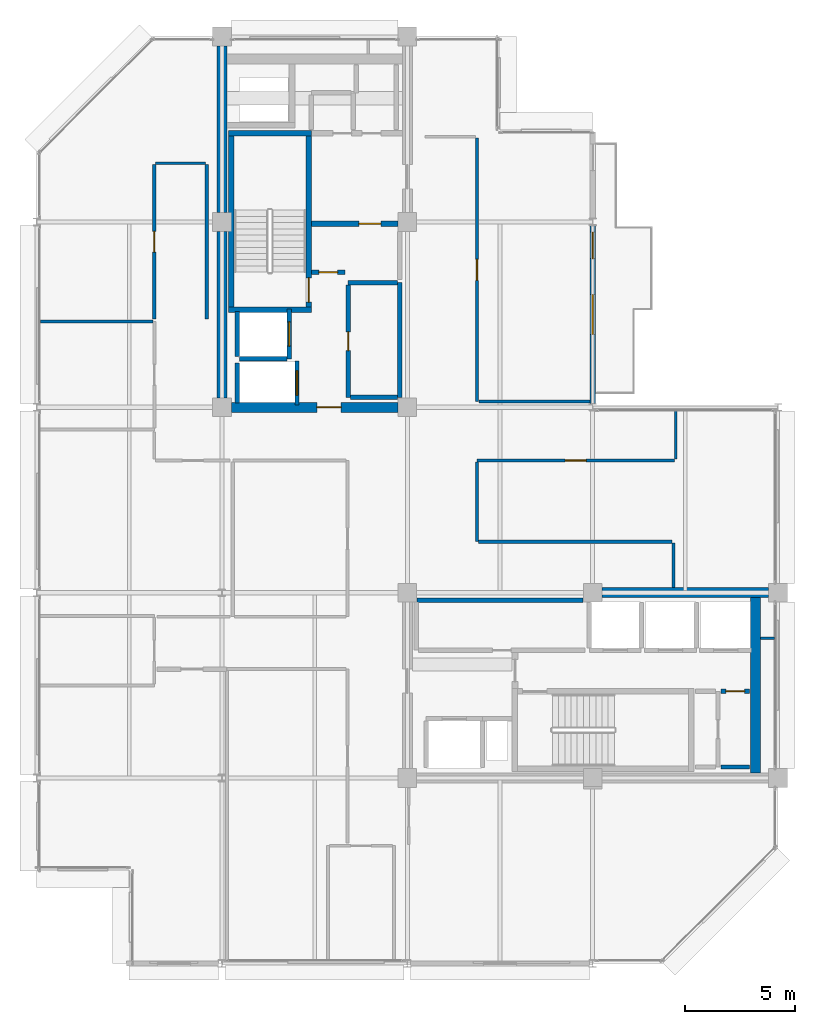
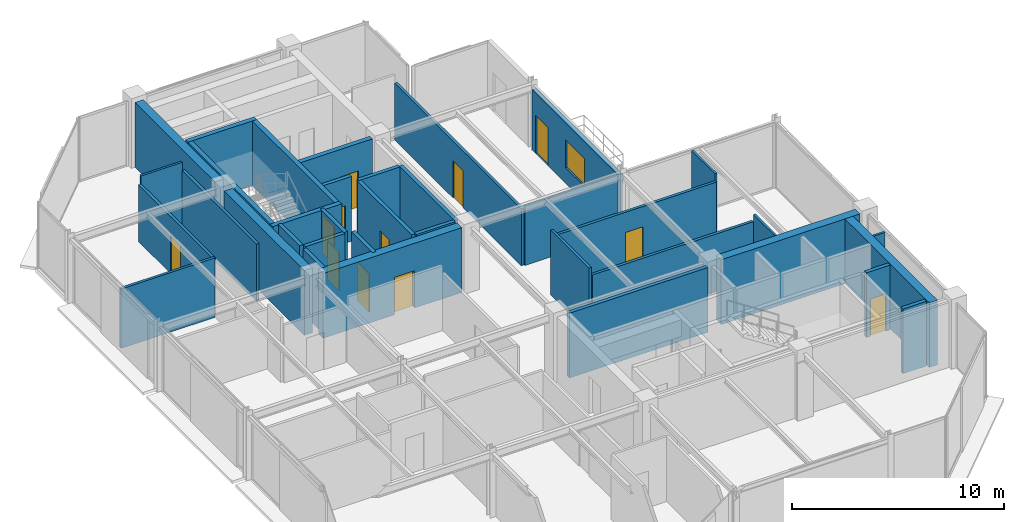
# One storey, part 21 of 25: 36 walls, 12 doors, 1 window, 13 openings.
"""IFC4 building model written with IfcOpenShell, lengths in metres."""

from ifc_helpers import new_model, si_unit, direction, frame, frame_2d, origin, place, context, subcontext, project, spatial, rectangle, extrude, material, layer, layer_set, type_object, element, fill, save


model = new_model("IFC4")

# Units and contexts
model_context = context("Model", 3, precision=1e-05, world=origin(), true_north=direction((0.0, 1.0)))
body_context = subcontext(model_context, "Body", "Model", "MODEL_VIEW")
ifc_project = project(units=[si_unit("LENGTHUNIT", "METRE"), si_unit("AREAUNIT", "SQUARE_METRE"), si_unit("VOLUMEUNIT", "CUBIC_METRE"), si_unit("PLANEANGLEUNIT", "RADIAN"), si_unit("MASSUNIT", "GRAM", prefix="KILO")], contexts=[model_context])

# Site, building, storey
site_placement = place(None, origin())
site = spatial("IfcSite", under=ifc_project, at=site_placement, CompositionType="ELEMENT")
building_placement = place(site_placement, origin())
building = spatial("IfcBuilding", under=site, at=building_placement, Name="Nerrivon Quay Data Exchange", CompositionType="ELEMENT")
storey_placement = place(building_placement, frame((0.0, 0.0, 302.199951171875)))
storey = spatial("IfcBuildingStorey", under=building, at=storey_placement, Name="L72", CompositionType="ELEMENT", Elevation=302.199951171875)

# Wall, openings, door, window
ifc_material_1 = material(Name="Architectural terracotta precast concrete N50 (50 MPa)", Category="masonry")
ifc_layer_1 = layer(ifc_material_1, 0.239990234375)
ifc_layer_set_1 = layer_set([ifc_layer_1], Name="Architectural terracotta precast concrete N50 (50 MPa)")
wall_type_1 = type_object("IfcWallType", Name="EW-PREC-240", PredefinedType="STANDARD", material=ifc_layer_set_1)
wall_1_placement = place(storey_placement, frame((25.199951171875, 33.4365234375, 0.0), z_axis=(0.0, 0.0, 1.0), x_axis=(0.0, -1.0, 0.0)))
wall_1 = element("IfcWall", 1, at=wall_1_placement, inside=storey, type_object=wall_type_1, Name="L72 Terrace Host Wall 20", PredefinedType="STANDARD", context=body_context, shape_type="SweptSolid", body=[
    extrude(rectangle(XDim=8.072998046875, YDim=0.239990234375, at=frame_2d((4.03662109375, 0.0))), origin(), (0.0, 0.0, 1.0), 3.47509765625),
])
opening_1_placement = place(wall_1_placement, frame((0.300048828125, 0.0, 0.0)))
opening_1 = element("IfcOpeningElement", 2, at=opening_1_placement, cuts=wall_1, Name="Opening TD1", PredefinedType="OPENING", context=body_context, shape_type="SweptSolid", body=[
    extrude(rectangle(XDim=1.199951171875, YDim=2.199951171875, at=frame_2d((0.60009765625, 1.10009765625))), frame((0.0, 0.1298828125, 0.0), z_axis=(0.0, -1.0, 0.0), x_axis=(1.0, 0.0, 0.0)), (0.0, 0.0, 1.0), 0.260009765625),
])
opening_2_placement = place(wall_1_placement, frame((3.131591796875, 0.0, 0.89990234375)))
opening_2 = element("IfcOpeningElement", 3, at=opening_2_placement, cuts=wall_1, Name="Opening WN2", PredefinedType="OPENING", context=body_context, shape_type="SweptSolid", body=[
    extrude(rectangle(XDim=1.800048828125, YDim=1.60009765625, at=frame_2d((0.89990234375, 0.800048828125))), frame((0.0, 0.1298828125, 0.0), z_axis=(0.0, -1.0, 0.0), x_axis=(1.0, 0.0, 0.0)), (0.0, 0.0, 1.0), 0.260009765625),
])
ifc_material_2 = material(Name="Double-glazed low-E solar control glass", Category="glass")
door_type_1 = type_object("IfcDoorType", Name="DR-TERR-1200x2200", OperationType="NOTDEFINED", PredefinedType="DOOR", material=ifc_material_2)
door_1_placement = place(opening_1_placement, origin())
door_1 = element("IfcDoor", 4, at=door_1_placement, inside=storey, type_object=door_type_1, Name="L72 Outdoor Terrace Access Door 20", OperationType="SINGLE_SWING_LEFT", OverallHeight=2.199951171875, OverallWidth=1.199951171875, PredefinedType="DOOR", context=body_context, shape_type="SweptSolid", body=[
    extrude(rectangle(XDim=1.199951171875, YDim=2.199951171875, at=frame_2d((0.60009765625, 1.10009765625))), frame((0.0, 0.02490234375, 0.0), z_axis=(0.0, -1.0, 0.0), x_axis=(1.0, 0.0, 0.0)), (0.0, 0.0, 1.0), 0.050048828125),
])
fill(opening_1, door_1)
window_type = type_object("IfcWindowType", Name="WIN-W2-1800x1600", PartitioningType="SINGLE_PANEL", PredefinedType="WINDOW", material=ifc_material_2)
window_placement = place(opening_2_placement, origin())
window = element("IfcWindow", 5, at=window_placement, inside=storey, type_object=window_type, Name="L72 Terrace Side Window 20", OverallHeight=1.60009765625, OverallWidth=1.800048828125, PartitioningType="SINGLE_PANEL", PredefinedType="WINDOW", context=body_context, shape_type="SweptSolid", body=[
    extrude(rectangle(XDim=1.800048828125, YDim=1.60009765625, at=frame_2d((0.89990234375, 0.800048828125))), frame((0.0, 0.030029296875, 0.0), z_axis=(0.0, -1.0, 0.0), x_axis=(1.0, 0.0, 0.0)), (0.0, 0.0, 1.0), 0.06005859375),
])
fill(opening_2, window)

# Walls
ifc_material_3 = material(Name="Concrete N50 (50 MPa)", Category="concrete")
ifc_layer_2 = layer(ifc_material_3, 0.449951171875)
ifc_layer_set_2 = layer_set([ifc_layer_2], Name="Concrete N50 (50 MPa)")
wall_type_2 = type_object("IfcWallType", Name="WALL-CW-550", PredefinedType="SHEAR", material=ifc_layer_set_2)
for number, where, z_axis, x_axis, name in (
    (6, (8.39990234375, 25.625, 0.0), (0.0, 0.0, 1.0), (0.0, 1.0, 0.0), "L72 West Split-Core Shear Wall WCW-W1"),
    (7, (8.39990234375, 34.02490234375, 0.0), (0.0, 0.0, 1.0), (0.0, 1.0, 0.0), "L72 West Split-Core Shear Wall WCW-W2"),
):
    element("IfcWall", number, at=place(storey_placement, frame(where, z_axis=z_axis, x_axis=x_axis)), inside=storey, type_object=wall_type_2, Name=name, PredefinedType="SHEAR", context=body_context, shape_type="SweptSolid", body=[
        extrude(rectangle(XDim=7.550048828125, YDim=0.449951171875, at=frame_2d((3.77490234375, 0.0))), origin(), (0.0, 0.0, 1.0), 3.72509765625),
    ])

# Wall, opening, door
wall_2_placement = place(storey_placement, frame((8.824951171875, 25.199951171875, 0.0), z_axis=(0.0, 0.0, 1.0), x_axis=(1.0, 0.0, 0.0)))
wall_2 = element("IfcWall", 8, at=wall_2_placement, inside=storey, type_object=wall_type_2, Name="L72 West Split-Core Shear Wall WCW-S1", PredefinedType="SHEAR", context=body_context, shape_type="SweptSolid", body=[
    extrude(rectangle(XDim=7.550048828125, YDim=0.449951171875, at=frame_2d((3.77490234375, 0.0))), origin(), (0.0, 0.0, 1.0), 3.72509765625),
])
opening_3_placement = place(wall_2_placement, frame((3.875, 0.0, 0.0)))
opening_3 = element("IfcOpeningElement", 9, at=opening_3_placement, cuts=wall_2, Name="Opening FD-120", PredefinedType="OPENING", context=body_context, shape_type="SweptSolid", body=[
    extrude(rectangle(XDim=1.10009765625, YDim=2.14990234375, at=frame_2d((0.550048828125, 1.074951171875))), frame((0.0, 0.23486328125, 0.0), z_axis=(0.0, -1.0, 0.0), x_axis=(1.0, 0.0, 0.0)), (0.0, 0.0, 1.0), 0.469970703125),
])
ifc_material_4 = material(Name="Powder-coated galvanized steel sheet", Category="steel")
door_type_2 = type_object("IfcDoorType", Name="DR-FD120-1100", OperationType="NOTDEFINED", PredefinedType="DOOR", material=ifc_material_4)
door_2_placement = place(opening_3_placement, origin())
door_2 = element("IfcDoor", 10, at=door_2_placement, inside=storey, type_object=door_type_2, Name="L72 West Core Lobby Fire Door", OperationType="SINGLE_SWING_LEFT", OverallHeight=2.14990234375, OverallWidth=1.10009765625, PredefinedType="DOOR", context=body_context, shape_type="SweptSolid", body=[
    extrude(rectangle(XDim=1.10009765625, YDim=2.14990234375, at=frame_2d((0.550048828125, 1.074951171875))), frame((0.0, 0.02490234375, 0.0), z_axis=(0.0, -1.0, 0.0), x_axis=(1.0, 0.0, 0.0)), (0.0, 0.0, 1.0), 0.050048828125),
])
fill(opening_3, door_2)

# Walls
wall_3_placement = place(storey_placement, frame((32.574951171875, 8.625, 0.0), z_axis=(0.0, 0.0, 1.0), x_axis=(0.0, 1.0, 0.0)))
element("IfcWall", 11, at=wall_3_placement, inside=storey, type_object=wall_type_2, Name="L72 East Split-Core Shear Wall ECW-E1", PredefinedType="SHEAR", context=body_context, shape_type="SweptSolid", body=[
    extrude(rectangle(XDim=7.949951171875, YDim=0.449951171875, at=frame_2d((3.97509765625, 0.0))), origin(), (0.0, 0.0, 1.0), 3.72509765625),
])
wall_4_placement = place(storey_placement, frame((25.625, 16.800048828125, 0.0), z_axis=(0.0, 0.0, 1.0), x_axis=(1.0, 0.0, 0.0)))
element("IfcWall", 12, at=wall_4_placement, inside=storey, type_object=wall_type_2, Name="L72 East Split-Core Shear Wall ECW-N1", PredefinedType="SHEAR", context=body_context, shape_type="SweptSolid", body=[
    extrude(rectangle(XDim=7.550048828125, YDim=0.449951171875, at=frame_2d((3.77490234375, 0.0))), origin(), (0.0, 0.0, 1.0), 3.72509765625),
])

# Wall, opening, door
ifc_material_5 = material(Name="Gypsum plasterboard on cold-formed framing", Category="gypsum")
ifc_layer_3 = layer(ifc_material_5, 0.199951171875)
ifc_layer_set_3 = layer_set([ifc_layer_3], Name="Gypsum plasterboard on cold-formed framing")
wall_type_3 = type_object("IfcWallType", Name="WALL-FW-200", PredefinedType="PARTITIONING", material=ifc_layer_set_3)
wall_5_placement = place(storey_placement, frame((11.449951171875, 27.39990234375, 0.0), z_axis=(0.0, 0.0, 1.0), x_axis=(0.0, 1.0, 0.0)))
wall_5 = element("IfcWall", 13, at=wall_5_placement, inside=storey, type_object=wall_type_3, Name="L72 Lift Front Wall FFL-1", PredefinedType="PARTITIONING", context=body_context, shape_type="SweptSolid", body=[
    extrude(rectangle(XDim=2.25, YDim=0.199951171875, at=frame_2d((1.125, 0.0))), origin(), (0.0, 0.0, 1.0), 3.72509765625),
])
opening_4_placement = place(wall_5_placement, frame((0.574951171875, 0.0, 0.0)))
opening_4 = element("IfcOpeningElement", 14, at=opening_4_placement, cuts=wall_5, Name="Opening LD-120", PredefinedType="OPENING", context=body_context, shape_type="SweptSolid", body=[
    extrude(rectangle(XDim=1.10009765625, YDim=2.199951171875, at=frame_2d((0.550048828125, 1.10009765625))), frame((0.0, 0.10986328125, 0.0), z_axis=(0.0, -1.0, 0.0), x_axis=(1.0, 0.0, 0.0)), (0.0, 0.0, 1.0), 0.219970703125),
])
door_type_3 = type_object("IfcDoorType", Name="DR-LIFT-LD120", OperationType="DOUBLE_DOOR_SLIDING", PredefinedType="DOOR", material=ifc_material_4)
door_3_placement = place(opening_4_placement, origin())
door_3 = element("IfcDoor", 15, at=door_3_placement, inside=storey, type_object=door_type_3, Name="L72 Lift Landing Sliding Door FFL-1", OperationType="DOUBLE_DOOR_SLIDING", OverallHeight=2.199951171875, OverallWidth=1.10009765625, PredefinedType="DOOR", context=body_context, shape_type="SweptSolid", body=[
    extrude(rectangle(XDim=1.10009765625, YDim=2.199951171875, at=frame_2d((0.550048828125, 1.10009765625))), frame((0.0, 0.02490234375, 0.0), z_axis=(0.0, -1.0, 0.0), x_axis=(1.0, 0.0, 0.0)), (0.0, 0.0, 1.0), 0.050048828125),
])
fill(opening_4, door_3)

# Walls
wall_6_placement = place(storey_placement, frame((9.10009765625, 27.5, 0.0), z_axis=(0.0, 0.0, 1.0), x_axis=(0.0, 1.0, 0.0)))
element("IfcWall", 16, at=wall_6_placement, inside=storey, type_object=wall_type_3, Name="L72 Lift Shaft Wall FFL-1 WEST", PredefinedType="PARTITIONING", context=body_context, shape_type="SweptSolid", body=[
    extrude(rectangle(XDim=2.050048828125, YDim=0.199951171875, at=frame_2d((1.02490234375, 0.0))), origin(), (0.0, 0.0, 1.0), 3.72509765625),
])
wall_7_placement = place(storey_placement, frame((9.199951171875, 27.39990234375, 0.0), z_axis=(0.0, 0.0, 1.0), x_axis=(1.0, 0.0, 0.0)))
element("IfcWall", 17, at=wall_7_placement, inside=storey, type_object=wall_type_3, Name="L72 Lift Shaft Wall FFL-1 SOUTH", PredefinedType="PARTITIONING", context=body_context, shape_type="SweptSolid", body=[
    extrude(rectangle(XDim=2.150146484375, YDim=0.199951171875, at=frame_2d((1.0751953125, 0.0))), origin(), (0.0, 0.0, 1.0), 3.72509765625),
])

# Wall, opening, door
wall_8_placement = place(storey_placement, frame((11.800048828125, 25.300048828125, 0.0), z_axis=(0.0, 0.0, 1.0), x_axis=(0.0, 1.0, 0.0)))
wall_8 = element("IfcWall", 18, at=wall_8_placement, inside=storey, type_object=wall_type_3, Name="L72 Lift Front Wall SVL-1", PredefinedType="PARTITIONING", context=body_context, shape_type="SweptSolid", body=[
    extrude(rectangle(XDim=2.0, YDim=0.199951171875, at=frame_2d((1.0, 0.0))), origin(), (0.0, 0.0, 1.0), 3.72509765625),
])
opening_5_placement = place(wall_8_placement, frame((0.449951171875, 0.0, 0.0)))
opening_5 = element("IfcOpeningElement", 19, at=opening_5_placement, cuts=wall_8, Name="Opening LD-120", PredefinedType="OPENING", context=body_context, shape_type="SweptSolid", body=[
    extrude(rectangle(XDim=1.10009765625, YDim=2.199951171875, at=frame_2d((0.550048828125, 1.10009765625))), frame((0.0, 0.10986328125, 0.0), z_axis=(0.0, -1.0, 0.0), x_axis=(1.0, 0.0, 0.0)), (0.0, 0.0, 1.0), 0.219970703125),
])
door_4_placement = place(opening_5_placement, origin())
door_4 = element("IfcDoor", 20, at=door_4_placement, inside=storey, type_object=door_type_3, Name="L72 Lift Landing Sliding Door SVL-1", OperationType="DOUBLE_DOOR_SLIDING", OverallHeight=2.199951171875, OverallWidth=1.10009765625, PredefinedType="DOOR", context=body_context, shape_type="SweptSolid", body=[
    extrude(rectangle(XDim=1.10009765625, YDim=2.199951171875, at=frame_2d((0.550048828125, 1.10009765625))), frame((0.0, 0.02490234375, 0.0), z_axis=(0.0, -1.0, 0.0), x_axis=(1.0, 0.0, 0.0)), (0.0, 0.0, 1.0), 0.050048828125),
])
fill(opening_5, door_4)

# Walls
wall_9_placement = place(storey_placement, frame((9.10009765625, 25.39990234375, 0.0), z_axis=(0.0, 0.0, 1.0), x_axis=(0.0, 1.0, 0.0)))
element("IfcWall", 21, at=wall_9_placement, inside=storey, type_object=wall_type_3, Name="L72 Lift Shaft Wall SVL-1 WEST", PredefinedType="PARTITIONING", context=body_context, shape_type="SweptSolid", body=[
    extrude(rectangle(XDim=1.800048828125, YDim=0.199951171875, at=frame_2d((0.89990234375, 0.0))), origin(), (0.0, 0.0, 1.0), 3.72509765625),
])
wall_10_placement = place(storey_placement, frame((16.449951171875, 25.64990234375, 0.0), z_axis=(0.0, 0.0, 1.0), x_axis=(0.0, 1.0, 0.0)))
element("IfcWall", 22, at=wall_10_placement, inside=storey, type_object=wall_type_3, Name="L72 Partition Fibre Patch Store", PredefinedType="PARTITIONING", context=body_context, shape_type="SweptSolid", body=[
    extrude(rectangle(XDim=5.2001953125, YDim=0.199951171875, at=frame_2d((2.60009765625, 0.0))), origin(), (0.0, 0.0, 1.0), 3.72509765625),
])
wall_11_placement = place(storey_placement, frame((16.345947265625, 30.85009765625, 0.0), z_axis=(0.0, 0.0, 1.0), x_axis=(-1.0, 0.0, 0.0)))
element("IfcWall", 23, at=wall_11_placement, inside=storey, type_object=wall_type_3, Name="L72 Partition Fibre Patch Store", PredefinedType="PARTITIONING", context=body_context, shape_type="SweptSolid", body=[
    extrude(rectangle(XDim=2.225830078125, YDim=0.199951171875, at=frame_2d((1.11279296875, 0.0))), origin(), (0.0, 0.0, 1.0), 3.72509765625),
])

# Wall, opening, door
wall_12_placement = place(storey_placement, frame((14.1201171875, 30.74609375, 0.0), z_axis=(0.0, 0.0, 1.0), x_axis=(0.0, -1.0, 0.0)))
wall_12 = element("IfcWall", 24, at=wall_12_placement, inside=storey, type_object=wall_type_3, Name="L72 Partition Fibre Patch Store", PredefinedType="PARTITIONING", context=body_context, shape_type="SweptSolid", body=[
    extrude(rectangle(XDim=5.09619140625, YDim=0.199951171875, at=frame_2d((2.548095703125, 0.0))), origin(), (0.0, 0.0, 1.0), 3.72509765625),
])
opening_6_placement = place(wall_12_placement, frame((2.123046875, 0.0, 0.0)))
opening_6 = element("IfcOpeningElement", 25, at=opening_6_placement, cuts=wall_12, Name="Opening FD-60S", PredefinedType="OPENING", context=body_context, shape_type="SweptSolid", body=[
    extrude(rectangle(XDim=0.85009765625, YDim=2.14990234375, at=frame_2d((0.425048828125, 1.074951171875))), frame((0.0, 0.10986328125, 0.0), z_axis=(0.0, -1.0, 0.0), x_axis=(1.0, 0.0, 0.0)), (0.0, 0.0, 1.0), 0.219970703125),
])
ifc_material_6 = material(Name="Engineered hardwood timber", Category="wood")
door_type_4 = type_object("IfcDoorType", Name="DR-FD60-850", OperationType="NOTDEFINED", PredefinedType="DOOR", material=ifc_material_6)
door_5_placement = place(opening_6_placement, origin())
door_5 = element("IfcDoor", 26, at=door_5_placement, inside=storey, type_object=door_type_4, Name="L72 Door Fibre Patch Store", OperationType="SINGLE_SWING_LEFT", OverallHeight=2.14990234375, OverallWidth=0.85009765625, PredefinedType="DOOR", context=body_context, shape_type="SweptSolid", body=[
    extrude(rectangle(XDim=0.85009765625, YDim=2.14990234375, at=frame_2d((0.425048828125, 1.074951171875))), frame((0.0, 0.02490234375, 0.0), z_axis=(0.0, -1.0, 0.0), x_axis=(1.0, 0.0, 0.0)), (0.0, 0.0, 1.0), 0.050048828125),
])
fill(opening_6, door_5)

# Wall
wall_13_placement = place(storey_placement, frame((14.22412109375, 25.64990234375, 0.0), z_axis=(0.0, 0.0, 1.0), x_axis=(1.0, 0.0, 0.0)))
element("IfcWall", 27, at=wall_13_placement, inside=storey, type_object=wall_type_3, Name="L72 Partition Fibre Patch Store", PredefinedType="PARTITIONING", context=body_context, shape_type="SweptSolid", body=[
    extrude(rectangle(XDim=2.121826171875, YDim=0.199951171875, at=frame_2d((1.06103515625, 0.0))), origin(), (0.0, 0.0, 1.0), 3.72509765625),
])

# Wall, opening, door
wall_14_placement = place(storey_placement, frame((12.4541015625, 31.320068359375, 0.0), z_axis=(0.0, 0.0, 1.0), x_axis=(0.999999949061, -0.000319182876, 0.0)))
wall_14 = element("IfcWall", 28, at=wall_14_placement, inside=storey, type_object=wall_type_3, Name="L72 Partition Core Equipment Closet", PredefinedType="PARTITIONING", context=body_context, shape_type="SweptSolid", body=[
    extrude(rectangle(XDim=1.52978515625, YDim=0.199951171875, at=frame_2d((0.764892578125, 0.0))), origin(), (0.0, 0.0, 1.0), 3.72509765625),
])
opening_7_placement = place(wall_14_placement, frame((0.340087890625, 0.0, 0.0)))
opening_7 = element("IfcOpeningElement", 29, at=opening_7_placement, cuts=wall_14, Name="Opening FD-60S", PredefinedType="OPENING", context=body_context, shape_type="SweptSolid", body=[
    extrude(rectangle(XDim=0.85009765625, YDim=2.14990234375, at=frame_2d((0.425048828125, 1.074951171875))), frame((0.0, 0.10986328125, 0.0), z_axis=(0.0, -1.0, 0.0), x_axis=(1.0, 0.0, 0.0)), (0.0, 0.0, 1.0), 0.219970703125),
])
door_6_placement = place(opening_7_placement, origin())
door_6 = element("IfcDoor", 30, at=door_6_placement, inside=storey, type_object=door_type_4, Name="L72 Door Core Equipment Closet", OperationType="SINGLE_SWING_RIGHT", OverallHeight=2.14990234375, OverallWidth=0.85009765625, PredefinedType="DOOR", context=body_context, shape_type="SweptSolid", body=[
    extrude(rectangle(XDim=0.85009765625, YDim=2.14990234375, at=frame_2d((0.425048828125, 1.074951171875))), frame((0.0, 0.02490234375, 0.0), z_axis=(0.0, -1.0, 0.0), x_axis=(1.0, 0.0, 0.0)), (0.0, 0.0, 1.0), 0.050048828125),
])
fill(opening_7, door_6)

# Wall
wall_15_placement = place(storey_placement, frame((24.77001953125, 16.449951171875, 0.0), z_axis=(0.0, 0.0, 1.0), x_axis=(-1.0, 0.0, 0.0)))
element("IfcWall", 31, at=wall_15_placement, inside=storey, type_object=wall_type_3, Name="L72 Partition High-Zone Patching Archive", PredefinedType="PARTITIONING", context=body_context, shape_type="SweptSolid", body=[
    extrude(rectangle(XDim=7.5400390625, YDim=0.199951171875, at=frame_2d((3.77001953125, 0.0))), origin(), (0.0, 0.0, 1.0), 3.72509765625),
])

# Wall, opening, door
wall_16_placement = place(storey_placement, frame((32.300048828125, 12.330078125, 0.0), z_axis=(0.0, 0.0, 1.0), x_axis=(-1.0, 0.0, 0.0)))
wall_16 = element("IfcWall", 32, at=wall_16_placement, inside=storey, type_object=wall_type_3, Name="L72 Partition East Cleaners Store", PredefinedType="PARTITIONING", context=body_context, shape_type="SweptSolid", body=[
    extrude(rectangle(XDim=1.280029296875, YDim=0.199951171875, at=frame_2d((0.64013671875, 0.0))), origin(), (0.0, 0.0, 1.0), 3.72509765625),
])
opening_8_placement = place(wall_16_placement, frame((0.215087890625, 0.0, 0.0)))
opening_8 = element("IfcOpeningElement", 33, at=opening_8_placement, cuts=wall_16, Name="Opening FD-60S", PredefinedType="OPENING", context=body_context, shape_type="SweptSolid", body=[
    extrude(rectangle(XDim=0.85009765625, YDim=2.14990234375, at=frame_2d((0.425048828125, 1.074951171875))), frame((0.0, 0.10986328125, 0.0), z_axis=(0.0, -1.0, 0.0), x_axis=(1.0, 0.0, 0.0)), (0.0, 0.0, 1.0), 0.219970703125),
])
door_7_placement = place(opening_8_placement, origin())
door_7 = element("IfcDoor", 34, at=door_7_placement, inside=storey, type_object=door_type_4, Name="L72 Door East Cleaners Store", OperationType="SINGLE_SWING_LEFT", OverallHeight=2.14990234375, OverallWidth=0.85009765625, PredefinedType="DOOR", context=body_context, shape_type="SweptSolid", body=[
    extrude(rectangle(XDim=0.85009765625, YDim=2.14990234375, at=frame_2d((0.425048828125, 1.074951171875))), frame((0.0, 0.02490234375, 0.0), z_axis=(0.0, -1.0, 0.0), x_axis=(1.0, 0.0, 0.0)), (0.0, 0.0, 1.0), 0.050048828125),
])
fill(opening_8, door_7)

# Walls
wall_17_placement = place(storey_placement, frame((31.02001953125, 8.89990234375, 0.0), z_axis=(0.0, 0.0, 1.0), x_axis=(1.0, 0.0, 0.0)))
element("IfcWall", 35, at=wall_17_placement, inside=storey, type_object=wall_type_3, Name="L72 Partition East Cleaners Store", PredefinedType="PARTITIONING", context=body_context, shape_type="SweptSolid", body=[
    extrude(rectangle(XDim=1.280029296875, YDim=0.199951171875, at=frame_2d((0.64013671875, 0.0))), origin(), (0.0, 0.0, 1.0), 3.72509765625),
])
ifc_layer_4 = layer(ifc_material_5, 0.1201171875)
ifc_layer_set_4 = layer_set([ifc_layer_4], Name="Gypsum plasterboard on cold-formed framing")
wall_type_4 = type_object("IfcWallType", Name="WALL-PT-120", PredefinedType="PARTITIONING", material=ifc_layer_set_4)
wall_18_placement = place(storey_placement, frame((28.860107421875, 19.050048828125, 0.0), z_axis=(0.0, 0.0, 1.0), x_axis=(0.0, -1.0, 0.0)))
element("IfcWall", 36, at=wall_18_placement, inside=storey, type_object=wall_type_4, Name="L72 Partition Peering Huddle Meeting Room", PredefinedType="PARTITIONING", context=body_context, shape_type="SweptSolid", body=[
    extrude(rectangle(XDim=2.02099609375, YDim=0.1201171875, at=frame_2d((1.010498046875, 0.0))), origin(), (0.0, 0.0, 1.0), 3.72509765625),
])
wall_19_placement = place(storey_placement, frame((32.803955078125, 14.72998046875, 0.0), z_axis=(0.0, 0.0, 1.0), x_axis=(1.0, 0.0, 0.0)))
element("IfcWall", 37, at=wall_19_placement, inside=storey, type_object=wall_type_4, Name="L72 Partition Peering Huddle Meeting Room", PredefinedType="PARTITIONING", context=body_context, shape_type="SweptSolid", body=[
    extrude(rectangle(XDim=0.626953125, YDim=0.1201171875, at=frame_2d((0.3134765625, 0.0))), origin(), (0.0, 0.0, 1.0), 3.72509765625),
])
wall_20_placement = place(storey_placement, frame((28.9599609375, 25.031005859375, 0.0), z_axis=(0.0, 0.0, 1.0), x_axis=(0.0, -1.0, 0.0)))
element("IfcWall", 38, at=wall_20_placement, inside=storey, type_object=wall_type_4, Name="L72 Partition Peering Huddle Meeting Room", PredefinedType="PARTITIONING", context=body_context, shape_type="SweptSolid", body=[
    extrude(rectangle(XDim=2.180908203125, YDim=0.1201171875, at=frame_2d((1.09033203125, 0.0))), origin(), (0.0, 0.0, 1.0), 3.72509765625),
])
wall_21_placement = place(storey_placement, frame((5.39990234375, 36.260009765625, 0.0), z_axis=(0.0, 0.0, 1.0), x_axis=(1.0, 0.0, 0.0)))
element("IfcWall", 39, at=wall_21_placement, inside=storey, type_object=wall_type_4, Name="L72 Partition Technical Library", PredefinedType="PARTITIONING", context=body_context, shape_type="SweptSolid", body=[
    extrude(rectangle(XDim=2.25, YDim=0.1201171875, at=frame_2d((1.125, 0.0))), origin(), (0.0, 0.0, 1.0), 3.72509765625),
])
ifc_layer_5 = layer(ifc_material_5, 0.135009765625)
ifc_layer_set_5 = layer_set([ifc_layer_5], Name="Gypsum plasterboard on cold-formed framing")
wall_type_5 = type_object("IfcWallType", Name="WALL-PT-135", PredefinedType="PARTITIONING", material=ifc_layer_set_5)
wall_22_placement = place(storey_placement, frame((5.2685546875, 29.081787109375, 0.0), z_axis=(0.0, 0.0, 1.0), x_axis=(-1.0, 0.0, 0.0)))
element("IfcWall", 40, at=wall_22_placement, inside=storey, type_object=wall_type_5, Name="L72 Partition Staff Pantry", PredefinedType="PARTITIONING", context=body_context, shape_type="SweptSolid", body=[
    extrude(rectangle(XDim=5.099609375, YDim=0.135009765625, at=frame_2d((2.5498046875, 0.0))), origin(), (0.0, 0.0, 1.0), 3.421142578125),
])
wall_23_placement = place(storey_placement, frame((19.9599609375, 22.7109375, 0.0), z_axis=(0.0, 0.0, 1.0), x_axis=(0.0, -1.0, 0.0)))
element("IfcWall", 41, at=wall_23_placement, inside=storey, type_object=wall_type_5, Name="L72 Partition Peering Huddle Meeting Room", PredefinedType="PARTITIONING", context=body_context, shape_type="SweptSolid", body=[
    extrude(rectangle(XDim=3.600830078125, YDim=0.135009765625, at=frame_2d((1.80029296875, 0.0))), origin(), (0.0, 0.0, 1.0), 3.72509765625),
])
wall_24_placement = place(storey_placement, frame((20.0390625, 25.46337890625, 0.0), z_axis=(0.0, 0.0, 1.0), x_axis=(1.0, 0.0, 0.0)))
element("IfcWall", 42, at=wall_24_placement, inside=storey, type_object=wall_type_5, Name="L72 Partition Cloud Compute Workspace 1", PredefinedType="PARTITIONING", context=body_context, shape_type="SweptSolid", body=[
    extrude(rectangle(XDim=5.036865234375, YDim=0.135009765625, at=frame_2d((2.5185546875, 0.0))), origin(), (0.0, 0.0, 1.0), 3.421142578125),
])

# Wall, opening, door
ifc_layer_6 = layer(ifc_material_5, 0.14990234375)
ifc_layer_set_6 = layer_set([ifc_layer_6], Name="Gypsum plasterboard on cold-formed framing")
wall_type_6 = type_object("IfcWallType", Name="WALL-PT-150", PredefinedType="PARTITIONING", material=ifc_layer_set_6)
wall_25_placement = place(storey_placement, frame((28.89990234375, 22.7900390625, 0.0), z_axis=(0.0, 0.0, 1.0), x_axis=(-1.0, 0.0, 0.0)))
wall_25 = element("IfcWall", 43, at=wall_25_placement, inside=storey, type_object=wall_type_6, Name="L72 Partition Peering Huddle Meeting Room", PredefinedType="PARTITIONING", context=body_context, shape_type="SweptSolid", body=[
    extrude(rectangle(XDim=8.93994140625, YDim=0.14990234375, at=frame_2d((4.469970703125, 0.0))), origin(), (0.0, 0.0, 1.0), 3.319091796875),
])
opening_9_placement = place(wall_25_placement, frame((3.9951171875, 0.0, 0.0)))
opening_9 = element("IfcOpeningElement", 44, at=opening_9_placement, cuts=wall_25, Name="Opening D-01", PredefinedType="OPENING", context=body_context, shape_type="SweptSolid", body=[
    extrude(rectangle(XDim=0.949951171875, YDim=2.14990234375, at=frame_2d((0.47509765625, 1.074951171875))), frame((0.0, 0.0849609375, 0.0), z_axis=(0.0, -1.0, 0.0), x_axis=(1.0, 0.0, 0.0)), (0.0, 0.0, 1.0), 0.169921875),
])
door_type_5 = type_object("IfcDoorType", Name="DR-INT-950", OperationType="NOTDEFINED", PredefinedType="DOOR", material=ifc_material_6)
door_8_placement = place(opening_9_placement, origin())
door_8 = element("IfcDoor", 45, at=door_8_placement, inside=storey, type_object=door_type_5, Name="L72 Door Peering Huddle Meeting Room", OperationType="SINGLE_SWING_RIGHT", OverallHeight=2.14990234375, OverallWidth=0.949951171875, PredefinedType="DOOR", context=body_context, shape_type="SweptSolid", body=[
    extrude(rectangle(XDim=0.949951171875, YDim=2.14990234375, at=frame_2d((0.47509765625, 1.074951171875))), frame((0.0, 0.02490234375, 0.0), z_axis=(0.0, -1.0, 0.0), x_axis=(1.0, 0.0, 0.0)), (0.0, 0.0, 1.0), 0.050048828125),
])
fill(opening_9, door_8)

# Walls
wall_26_placement = place(storey_placement, frame((20.031494140625, 19.110107421875, 0.0), z_axis=(0.0, 0.0, 1.0), x_axis=(1.0, 0.0, 0.0)))
element("IfcWall", 46, at=wall_26_placement, inside=storey, type_object=wall_type_6, Name="L72 Partition Peering Huddle Meeting Room", PredefinedType="PARTITIONING", context=body_context, shape_type="SweptSolid", body=[
    extrude(rectangle(XDim=8.7685546875, YDim=0.14990234375, at=frame_2d((4.38427734375, 0.0))), origin(), (0.0, 0.0, 1.0), 3.319091796875),
])
wall_27_placement = place(storey_placement, frame((7.7099609375, 36.199951171875, 0.0), z_axis=(0.0, 0.0, 1.0), x_axis=(0.0, -1.0, 0.0)))
element("IfcWall", 47, at=wall_27_placement, inside=storey, type_object=wall_type_6, Name="L72 Partition Technical Library", PredefinedType="PARTITIONING", context=body_context, shape_type="SweptSolid", body=[
    extrude(rectangle(XDim=6.998046875, YDim=0.14990234375, at=frame_2d((3.4990234375, 0.0))), origin(), (0.0, 0.0, 1.0), 3.27099609375),
])

# Wall, opening, door
wall_28_placement = place(storey_placement, frame((5.340087890625, 29.201904296875, 0.0), z_axis=(0.0, 0.0, 1.0), x_axis=(0.0, 1.0, 0.0)))
wall_28 = element("IfcWall", 48, at=wall_28_placement, inside=storey, type_object=wall_type_6, Name="L72 Partition Technical Library", PredefinedType="PARTITIONING", context=body_context, shape_type="SweptSolid", body=[
    extrude(rectangle(XDim=6.998046875, YDim=0.14990234375, at=frame_2d((3.4990234375, 0.0))), origin(), (0.0, 0.0, 1.0), 3.27099609375),
])
opening_10_placement = place(wall_28_placement, frame((3.024169921875, 0.0, 0.0)))
opening_10 = element("IfcOpeningElement", 49, at=opening_10_placement, cuts=wall_28, Name="Opening D-01", PredefinedType="OPENING", context=body_context, shape_type="SweptSolid", body=[
    extrude(rectangle(XDim=0.949951171875, YDim=2.14990234375, at=frame_2d((0.47509765625, 1.074951171875))), frame((0.0, 0.0849609375, 0.0), z_axis=(0.0, -1.0, 0.0), x_axis=(1.0, 0.0, 0.0)), (0.0, 0.0, 1.0), 0.169921875),
])
door_9_placement = place(opening_10_placement, origin())
door_9 = element("IfcDoor", 50, at=door_9_placement, inside=storey, type_object=door_type_5, Name="L72 Door Technical Library", OperationType="SINGLE_SWING_LEFT", OverallHeight=2.14990234375, OverallWidth=0.949951171875, PredefinedType="DOOR", context=body_context, shape_type="SweptSolid", body=[
    extrude(rectangle(XDim=0.949951171875, YDim=2.14990234375, at=frame_2d((0.47509765625, 1.074951171875))), frame((0.0, 0.02490234375, 0.0), z_axis=(0.0, -1.0, 0.0), x_axis=(1.0, 0.0, 0.0)), (0.0, 0.0, 1.0), 0.050048828125),
])
fill(opening_10, door_9)

wall_29_placement = place(storey_placement, frame((19.9599609375, 37.39990234375, 0.0), z_axis=(0.0, 0.0, 1.0), x_axis=(0.0, -1.0, 0.0)))
wall_29 = element("IfcWall", 51, at=wall_29_placement, inside=storey, type_object=wall_type_6, Name="L72 Partition Cloud Compute Workspace 1", PredefinedType="PARTITIONING", context=body_context, shape_type="SweptSolid", body=[
    extrude(rectangle(XDim=11.9365234375, YDim=0.14990234375, at=frame_2d((5.96826171875, 0.0))), origin(), (0.0, 0.0, 1.0), 3.27099609375),
])
opening_11_placement = place(wall_29_placement, frame((5.493408203125, 0.0, 0.0)))
opening_11 = element("IfcOpeningElement", 52, at=opening_11_placement, cuts=wall_29, Name="Opening D-01", PredefinedType="OPENING", context=body_context, shape_type="SweptSolid", body=[
    extrude(rectangle(XDim=0.949951171875, YDim=2.14990234375, at=frame_2d((0.47509765625, 1.074951171875))), frame((0.0, 0.0849609375, 0.0), z_axis=(0.0, -1.0, 0.0), x_axis=(1.0, 0.0, 0.0)), (0.0, 0.0, 1.0), 0.169921875),
])
door_10_placement = place(opening_11_placement, origin())
door_10 = element("IfcDoor", 53, at=door_10_placement, inside=storey, type_object=door_type_5, Name="L72 Door Cloud Compute Workspace 1", OperationType="SINGLE_SWING_RIGHT", OverallHeight=2.14990234375, OverallWidth=0.949951171875, PredefinedType="DOOR", context=body_context, shape_type="SweptSolid", body=[
    extrude(rectangle(XDim=0.949951171875, YDim=2.14990234375, at=frame_2d((0.47509765625, 1.074951171875))), frame((0.0, 0.02490234375, 0.0), z_axis=(0.0, -1.0, 0.0), x_axis=(1.0, 0.0, 0.0)), (0.0, 0.0, 1.0), 0.050048828125),
])
fill(opening_11, door_10)

# Walls
ifc_layer_7 = layer(ifc_material_3, 0.25)
ifc_layer_set_7 = layer_set([ifc_layer_7], Name="Concrete N50 (50 MPa)")
wall_type_7 = type_object("IfcWallType", Name="WALL-SW-250", PredefinedType="SHEAR", material=ifc_layer_set_7)
for number, where, z_axis, x_axis, name in (
    (54, (12.449951171875, 29.625, 0.0), (0.0, 0.0, 1.0), (-1.0, 0.0, 0.0), "L72 ST01 Structural Stair Core Wall NEAR"),
    (55, (12.449951171875, 37.625, 0.0), (0.0, 0.0, 1.0), (-1.0, 0.0, 0.0), "L72 ST01 Structural Stair Core Wall FAR"),
):
    element("IfcWall", number, at=place(storey_placement, frame(where, z_axis=z_axis, x_axis=x_axis)), inside=storey, type_object=wall_type_7, Name=name, PredefinedType="SHEAR", context=body_context, shape_type="SweptSolid", body=[
        extrude(rectangle(XDim=3.75, YDim=0.25, at=frame_2d((1.875, 0.0))), origin(), (0.0, 0.0, 1.0), 3.72509765625),
    ])

# Wall, opening, door
wall_30_placement = place(storey_placement, frame((12.324951171875, 29.75, 0.0), z_axis=(0.0, 0.0, 1.0), x_axis=(0.0, 1.0, 0.0)))
wall_30 = element("IfcWall", 56, at=wall_30_placement, inside=storey, type_object=wall_type_7, Name="L72 ST01 Structural Stair Core Wall LEFT", PredefinedType="SHEAR", context=body_context, shape_type="SweptSolid", body=[
    extrude(rectangle(XDim=7.75, YDim=0.25, at=frame_2d((3.875, 0.0))), origin(), (0.0, 0.0, 1.0), 3.72509765625),
])
opening_12_placement = place(wall_30_placement, frame((0.219970703125, 0.0, 0.0)))
opening_12 = element("IfcOpeningElement", 57, at=opening_12_placement, cuts=wall_30, Name="Opening FD-120", PredefinedType="OPENING", context=body_context, shape_type="SweptSolid", body=[
    extrude(rectangle(XDim=1.10009765625, YDim=2.14990234375, at=frame_2d((0.550048828125, 1.074951171875))), frame((0.0, 0.135009765625, 0.0), z_axis=(0.0, -1.0, 0.0), x_axis=(1.0, 0.0, 0.0)), (0.0, 0.0, 1.0), 0.27001953125),
])
door_11_placement = place(opening_12_placement, origin())
door_11 = element("IfcDoor", 58, at=door_11_placement, inside=storey, type_object=door_type_2, Name="L72 Protected Stair Door ST01", OperationType="SINGLE_SWING_LEFT", OverallHeight=2.14990234375, OverallWidth=1.10009765625, PredefinedType="DOOR", context=body_context, shape_type="SweptSolid", body=[
    extrude(rectangle(XDim=1.10009765625, YDim=2.14990234375, at=frame_2d((0.550048828125, 1.074951171875))), frame((0.0, 0.02490234375, 0.0), z_axis=(0.0, -1.0, 0.0), x_axis=(1.0, 0.0, 0.0)), (0.0, 0.0, 1.0), 0.050048828125),
])
fill(opening_12, door_11)

# Wall
wall_31_placement = place(storey_placement, frame((8.824951171875, 29.75, 0.0), z_axis=(0.0, 0.0, 1.0), x_axis=(0.0, 1.0, 0.0)))
element("IfcWall", 59, at=wall_31_placement, inside=storey, type_object=wall_type_7, Name="L72 ST01 Structural Stair Core Wall RIGHT", PredefinedType="SHEAR", context=body_context, shape_type="SweptSolid", body=[
    extrude(rectangle(XDim=7.75, YDim=0.25, at=frame_2d((3.875, 0.0))), origin(), (0.0, 0.0, 1.0), 3.72509765625),
])

# Wall, opening, door
wall_32_placement = place(storey_placement, frame((12.449951171875, 33.52001953125, 0.0), z_axis=(0.0, 0.0, 1.0), x_axis=(1.0, 0.0, 0.0)))
wall_32 = element("IfcWall", 60, at=wall_32_placement, inside=storey, type_object=wall_type_7, Name="L72 West Lobby Smoke-Stop Wall", PredefinedType="SHEAR", context=body_context, shape_type="SweptSolid", body=[
    extrude(rectangle(XDim=3.925048828125, YDim=0.25, at=frame_2d((1.96240234375, 0.0))), origin(), (0.0, 0.0, 1.0), 3.72509765625),
])
opening_13_placement = place(wall_32_placement, frame((2.14990234375, 0.0, 0.0)))
opening_13 = element("IfcOpeningElement", 61, at=opening_13_placement, cuts=wall_32, Name="Opening FD-60", PredefinedType="OPENING", context=body_context, shape_type="SweptSolid", body=[
    extrude(rectangle(XDim=1.0, YDim=2.14990234375, at=frame_2d((0.5, 1.074951171875))), frame((0.0, 0.135009765625, 0.0), z_axis=(0.0, -1.0, 0.0), x_axis=(1.0, 0.0, 0.0)), (0.0, 0.0, 1.0), 0.27001953125),
])
door_type_6 = type_object("IfcDoorType", Name="DR-FD60-1000", OperationType="NOTDEFINED", PredefinedType="DOOR", material=ifc_material_6)
door_12_placement = place(opening_13_placement, origin())
door_12 = element("IfcDoor", 62, at=door_12_placement, inside=storey, type_object=door_type_6, Name="L72 West Firefighting Lobby Fire Door", OperationType="SINGLE_SWING_LEFT", OverallHeight=2.14990234375, OverallWidth=1.0, PredefinedType="DOOR", context=body_context, shape_type="SweptSolid", body=[
    extrude(rectangle(XDim=1.0, YDim=2.14990234375, at=frame_2d((0.5, 1.074951171875))), frame((0.0, 0.02490234375, 0.0), z_axis=(0.0, -1.0, 0.0), x_axis=(1.0, 0.0, 0.0)), (0.0, 0.0, 1.0), 0.050048828125),
])
fill(opening_13, door_12)

save(model, "model.ifc")
